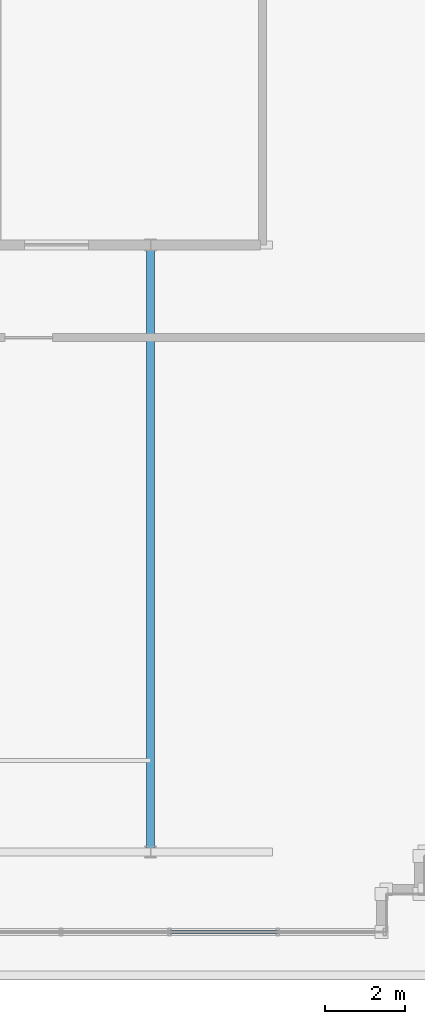
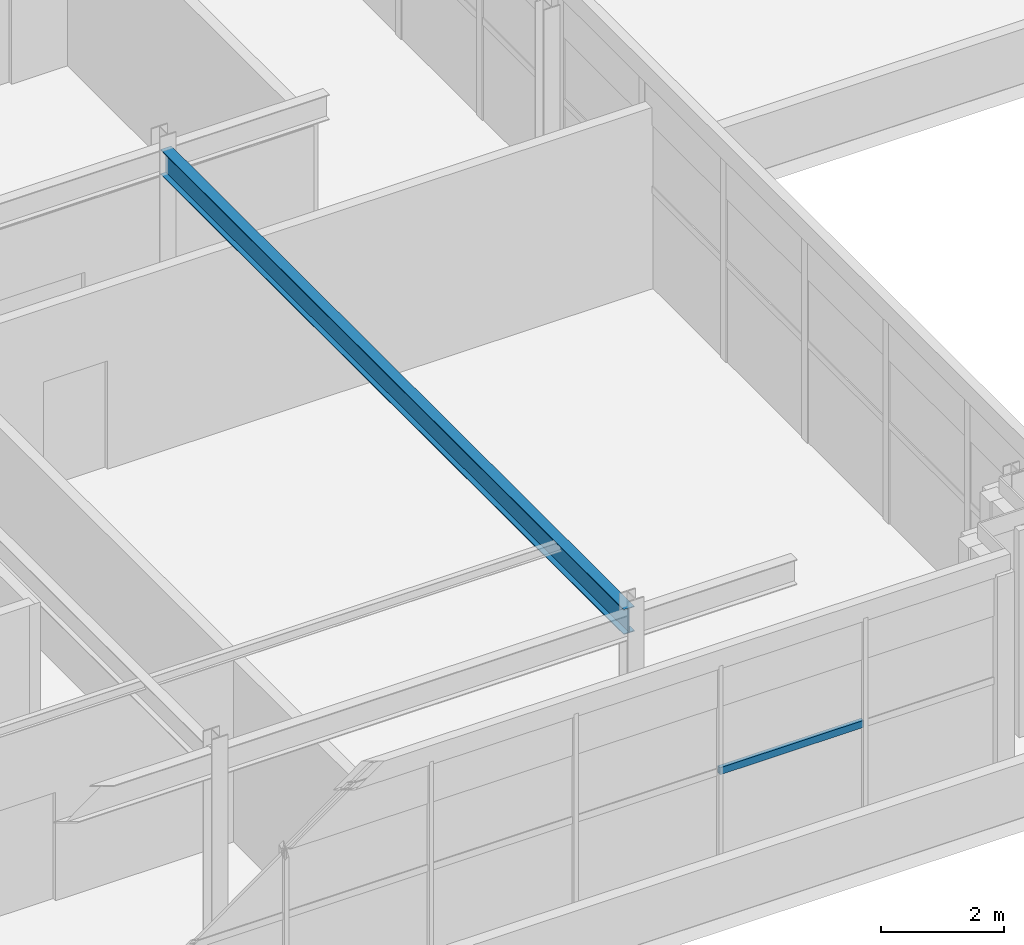
# One storey, part 6 of 31: 1 beam, 1 member, 1 element without a shape of its own.
"""IFC4 building model written with IfcOpenShell, lengths in metres."""

from ifc_helpers import new_model, si_unit, direction, frame, origin, origin_2d, place, context, subcontext, project, spatial, hollow_rectangle, i_section, extrude, source, transform, mapped, material, material_profile, profile_set, type_object, element, aggregate, save


model = new_model("IFC4")

# Units and contexts
model_context = context("Model", 3, precision=1e-05, world=origin(), true_north=direction((0.0, 1.0)))
body_context = subcontext(model_context, "Body", "Model", "MODEL_VIEW")
ifc_project = project(units=[si_unit("LENGTHUNIT", "METRE"), si_unit("AREAUNIT", "SQUARE_METRE"), si_unit("VOLUMEUNIT", "CUBIC_METRE"), si_unit("PLANEANGLEUNIT", "RADIAN"), si_unit("MASSUNIT", "GRAM", prefix="KILO")], contexts=[model_context])

# Site, building, storey
site_placement = place(None, origin())
site = spatial("IfcSite", under=ifc_project, at=site_placement, CompositionType="ELEMENT")
building_placement = place(site_placement, origin())
building = spatial("IfcBuilding", under=site, at=building_placement, Name="Trelvane Seafront Commons", CompositionType="ELEMENT")
storey_placement = place(building_placement, frame((0.0, 0.0, 307.89990234375)))
storey = spatial("IfcBuildingStorey", under=building, at=storey_placement, Name="L80", CompositionType="ELEMENT", Elevation=307.89990234375)

# Beam
ifc_material_1 = material(Name="Steel SM355 (S355)", Category="steel")
ifc_material_profile_1 = material_profile(ifc_material_1, i_section(OverallWidth=0.199951171875, OverallDepth=0.5, WebThickness=0.010009765625, FlangeThickness=0.01611328125, at=origin_2d()), Name="H-500x200x10x16")
ifc_profile_set_1 = profile_set([ifc_material_profile_1], Name="Steel SM355 (S355)")
beam_type = type_object("IfcBeamType", Name="STR-BM-H500", PredefinedType="BEAM", material=ifc_profile_set_1)
shared_shape_1 = source(origin(), body_context, "Body", "SweptSolid", [
    extrude(i_section(OverallWidth=0.199951171875, OverallDepth=0.5, WebThickness=0.010009765625, FlangeThickness=0.01611328125, at=origin_2d()), origin(), (0.0, 0.0, 1.0), 15.050048828125),
])
beam_placement = place(storey_placement, frame((23.39990234375, 18.27490234375, 3.85009765625), z_axis=(0.0, 1.0, 0.0), x_axis=(-1.0, 0.0, 0.0)))
element("IfcBeam", 1, at=beam_placement, inside=storey, type_object=beam_type, Name="L80 Primary Girder G-26", PredefinedType="BEAM", context=body_context, shape_type="MappedRepresentation", body=[
    mapped(shared_shape_1, transform((0.0, 0.0, 0.0), x_axis=(1.0, 0.0, 0.0), y_axis=(0.0, 1.0, 0.0), z_axis=(0.0, 0.0, 1.0), scale=1.0)),
])

# Curtain wall, member
ifc_material_2 = material(Name="Anodised pale-silver aluminium", Category="aluminium")
curtain_wall_type = type_object("IfcCurtainWallType", Name="ARCH-CW6-CROWN", PredefinedType="NOTDEFINED", material=ifc_material_2)
curtain_wall_placement = place(storey_placement, origin())
curtain_wall = element("IfcCurtainWall", 2, at=curtain_wall_placement, inside=storey, type_object=curtain_wall_type, Name="CW-L80-0139", PredefinedType="NOTDEFINED")
ifc_material_profile_2 = material_profile(ifc_material_2, hollow_rectangle(XDim=0.074951171875, YDim=0.139892578125, WallThickness=0.00390625, at=origin_2d()), Name="TRAN-75x140x4")
ifc_profile_set_2 = profile_set([ifc_material_profile_2], Name="Anodised pale-silver aluminium")
member_type = type_object("IfcMemberType", Name="ARCH-CW-TRAN-140", PredefinedType="USERDEFINED", material=ifc_profile_set_2)
shared_shape_2 = source(origin(), body_context, "Body", "SweptSolid", [
    extrude(hollow_rectangle(XDim=0.074951171875, YDim=0.139892578125, WallThickness=0.00390625, at=origin_2d()), origin(), (0.0, 0.0, 1.0), 2.6904296875),
])
member_placement = place(storey_placement, frame((26.57373046875, 16.199951171875, 1.968017578125), z_axis=(-1.0, 0.0, 0.0), x_axis=(0.0, -1.0, 0.0)))
member = element("IfcMember", 3, at=member_placement, type_object=member_type, Name="CW-L80-0139-T01", ObjectType="TRANSOM", PredefinedType="USERDEFINED", context=body_context, shape_type="MappedRepresentation", body=[
    mapped(shared_shape_2, transform((0.0, 0.0, 0.0), x_axis=(1.0, 0.0, 0.0), y_axis=(0.0, 1.0, 0.0), z_axis=(0.0, 0.0, 1.0), scale=1.0)),
])
aggregate(curtain_wall, [member])

save(model, "model.ifc")
